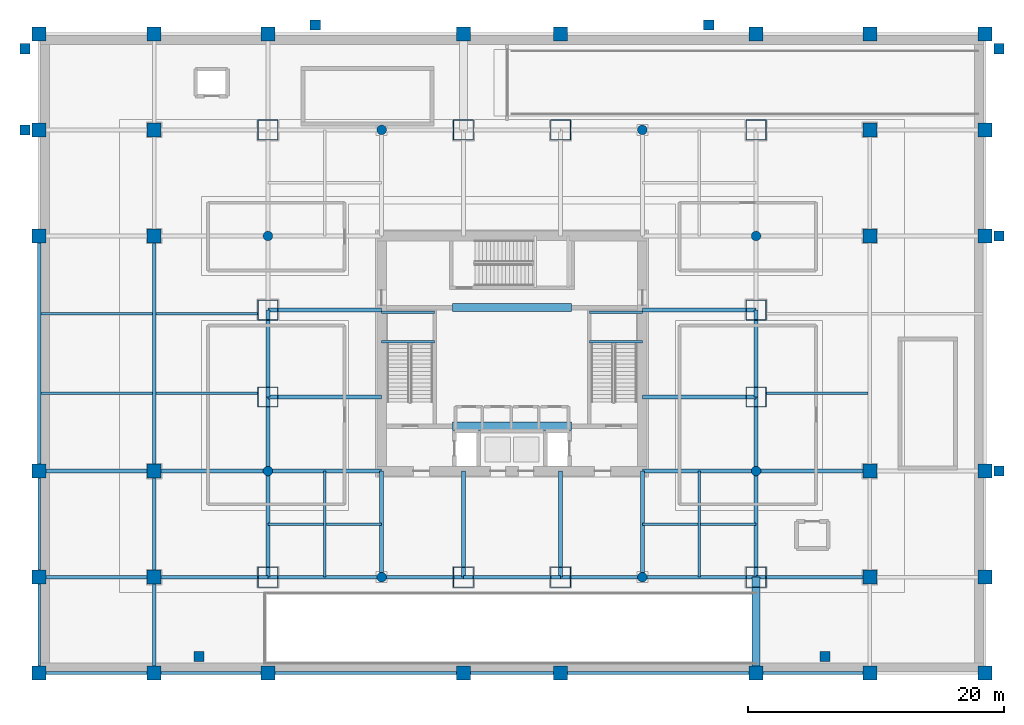
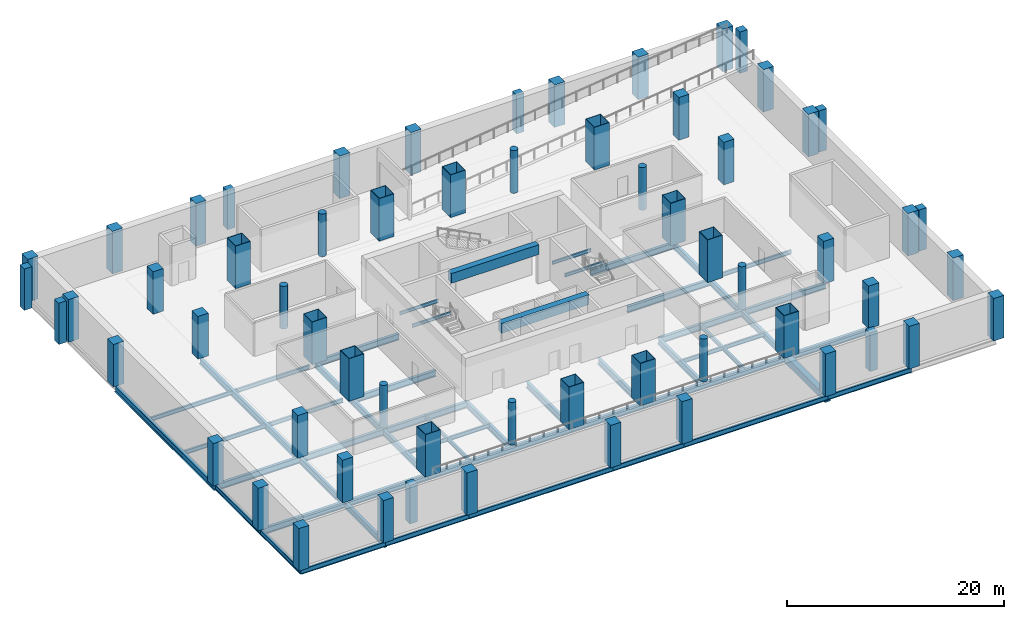
# One storey, part 1 of 12: 61 columns, 51 beams.
"""IFC4 building model written with IfcOpenShell, lengths in metres."""

from ifc_helpers import new_model, si_unit, direction, frame, origin, origin_2d, place, context, subcontext, project, spatial, rectangle, hollow_rectangle, circle, i_section, extrude, material, material_profile, profile_set, type_object, element, save


model = new_model("IFC4")

# Units and contexts
model_context = context("Model", 3, precision=1e-05, world=origin(), true_north=direction((0.0, 1.0)))
body_context = subcontext(model_context, "Body", "Model", "MODEL_VIEW")
ifc_project = project(units=[si_unit("LENGTHUNIT", "METRE"), si_unit("AREAUNIT", "SQUARE_METRE"), si_unit("VOLUMEUNIT", "CUBIC_METRE"), si_unit("PLANEANGLEUNIT", "RADIAN"), si_unit("MASSUNIT", "GRAM", prefix="KILO")], contexts=[model_context])

# Site, building, storey
site_placement = place(None, origin())
site = spatial("IfcSite", under=ifc_project, at=site_placement, CompositionType="ELEMENT")
building_placement = place(site_placement, origin())
building = spatial("IfcBuilding", under=site, at=building_placement, Name="Punatoya Terracotta Tower", CompositionType="ELEMENT")
storey_placement = place(building_placement, frame((0.0, 0.0, -4.800048828125)))
storey = spatial("IfcBuildingStorey", under=building, at=storey_placement, Name="B1", CompositionType="ELEMENT", Elevation=-4.800048828125)

# Columns
ifc_material_1 = material(Name="Steel S460", Category="steel")
ifc_material_profile_1 = material_profile(ifc_material_1, hollow_rectangle(XDim=1.60009765625, YDim=1.60009765625, WallThickness=0.050048828125, at=origin_2d()))
ifc_profile_set_1 = profile_set([ifc_material_profile_1], Name="Steel S460")
column_type_1 = type_object("IfcColumnType", Name="COL-MC-Z0", PredefinedType="COLUMN", material=ifc_profile_set_1)
for number, where, z_axis, x_axis, name in (
    (1, (-19.10009765625, -17.5, 0.0), (0.0, 0.0, 1.0), (1.0, 0.0, 0.0), "B1 Composite Mega-Column MC-01 (3-B)"),
    (2, (-3.800048828125, -17.5, 0.0), (0.0, 0.0, 1.0), (1.0, 0.0, 0.0), "B1 Composite Mega-Column MC-02 (5-B)"),
    (3, (3.800048828125, -17.5, 0.0), (0.0, 0.0, 1.0), (1.0, 0.0, 0.0), "B1 Composite Mega-Column MC-03 (7-B)"),
    (4, (19.10009765625, -17.5, 0.0), (0.0, 0.0, 1.0), (1.0, 0.0, 0.0), "B1 Composite Mega-Column MC-04 (9-B)"),
    (5, (19.10009765625, -3.39990234375, 0.0), (0.0, 0.0, 1.0), (1.0, 0.0, 0.0), "B1 Composite Mega-Column MC-05 (9-D)"),
    (6, (19.10009765625, 3.39990234375, 0.0), (0.0, 0.0, 1.0), (1.0, 0.0, 0.0), "B1 Composite Mega-Column MC-06 (9-E)"),
    (7, (19.10009765625, 17.5, 0.0), (0.0, 0.0, 1.0), (1.0, 0.0, 0.0), "B1 Composite Mega-Column MC-07 (9-G)"),
    (8, (3.800048828125, 17.5, 0.0), (0.0, 0.0, 1.0), (1.0, 0.0, 0.0), "B1 Composite Mega-Column MC-08 (7-G)"),
    (9, (-3.800048828125, 17.5, 0.0), (0.0, 0.0, 1.0), (1.0, 0.0, 0.0), "B1 Composite Mega-Column MC-09 (5-G)"),
    (10, (-19.10009765625, 17.5, 0.0), (0.0, 0.0, 1.0), (1.0, 0.0, 0.0), "B1 Composite Mega-Column MC-10 (3-G)"),
    (11, (-19.10009765625, 3.39990234375, 0.0), (0.0, 0.0, 1.0), (1.0, 0.0, 0.0), "B1 Composite Mega-Column MC-11 (3-E)"),
    (12, (-19.10009765625, -3.39990234375, 0.0), (0.0, 0.0, 1.0), (1.0, 0.0, 0.0), "B1 Composite Mega-Column MC-12 (3-D)"),
):
    element("IfcColumn", number, at=place(storey_placement, frame(where, z_axis=z_axis, x_axis=x_axis)), inside=storey, type_object=column_type_1, Name=name, PredefinedType="COLUMN", context=body_context, shape_type="SweptSolid", body=[
        extrude(hollow_rectangle(XDim=1.60009765625, YDim=1.60009765625, WallThickness=0.050048828125, at=origin_2d()), origin(), (0.0, 0.0, 1.0), 4.800048828125),
    ])
ifc_material_2 = material(Name="Concrete C50/60", Category="concrete")
ifc_material_profile_2 = material_profile(ifc_material_2, circle(Radius=0.375, at=origin_2d()))
ifc_profile_set_2 = profile_set([ifc_material_profile_2], Name="Concrete C50/60")
column_type_2 = type_object("IfcColumnType", Name="COL-PIL-750", PredefinedType="PILASTER", material=ifc_profile_set_2)
for number, where, z_axis, x_axis, name in (
    (13, (-10.199951171875, -17.5, 0.0), (0.0, 0.0, 1.0), (1.0, 0.0, 0.0), "B1 Spine Arcade Pilaster PIL-01"),
    (14, (10.199951171875, -17.5, 0.0), (0.0, 0.0, 1.0), (1.0, 0.0, 0.0), "B1 Spine Arcade Pilaster PIL-02"),
    (15, (-10.199951171875, 17.5, 0.0), (0.0, 0.0, 1.0), (1.0, 0.0, 0.0), "B1 Spine Arcade Pilaster PIL-03"),
    (16, (10.199951171875, 17.5, 0.0), (0.0, 0.0, 1.0), (1.0, 0.0, 0.0), "B1 Spine Arcade Pilaster PIL-04"),
    (17, (-19.10009765625, -9.199951171875, 0.0), (0.0, 0.0, 1.0), (1.0, 0.0, 0.0), "B1 Spine Arcade Pilaster PIL-05"),
    (18, (19.10009765625, -9.199951171875, 0.0), (0.0, 0.0, 1.0), (1.0, 0.0, 0.0), "B1 Spine Arcade Pilaster PIL-06"),
    (19, (-19.10009765625, 9.199951171875, 0.0), (0.0, 0.0, 1.0), (1.0, 0.0, 0.0), "B1 Spine Arcade Pilaster PIL-07"),
    (20, (19.10009765625, 9.199951171875, 0.0), (0.0, 0.0, 1.0), (1.0, 0.0, 0.0), "B1 Spine Arcade Pilaster PIL-08"),
):
    element("IfcColumn", number, at=place(storey_placement, frame(where, z_axis=z_axis, x_axis=x_axis)), inside=storey, type_object=column_type_2, Name=name, PredefinedType="PILASTER", context=body_context, shape_type="SweptSolid", body=[
        extrude(circle(Radius=0.375, at=origin_2d()), origin(), (0.0, 0.0, 1.0), 4.800048828125),
    ])
ifc_material_3 = material(Name="Concrete C60/75", Category="concrete")
ifc_material_profile_3 = material_profile(ifc_material_3, rectangle(XDim=1.10009765625, YDim=1.10009765625, at=origin_2d()))
ifc_profile_set_3 = profile_set([ifc_material_profile_3], Name="Concrete C60/75")
column_type_3 = type_object("IfcColumnType", Name="COL-RC-1100", PredefinedType="COLUMN", material=ifc_profile_set_3)
for number, where, z_axis, x_axis, name in (
    (21, (-37.0, -25.0, 0.0), (0.0, 0.0, 1.0), (1.0, 0.0, 0.0), "B1 Podium Column PC-01 (1-A)"),
    (22, (-28.0, -25.0, 0.0), (0.0, 0.0, 1.0), (1.0, 0.0, 0.0), "B1 Podium Column PC-02 (2-A)"),
    (23, (-19.10009765625, -25.0, 0.0), (0.0, 0.0, 1.0), (1.0, 0.0, 0.0), "B1 Podium Column PC-03 (3-A)"),
    (24, (-3.800048828125, -25.0, 0.0), (0.0, 0.0, 1.0), (1.0, 0.0, 0.0), "B1 Podium Column PC-04 (5-A)"),
    (25, (3.800048828125, -25.0, 0.0), (0.0, 0.0, 1.0), (1.0, 0.0, 0.0), "B1 Podium Column PC-05 (7-A)"),
    (26, (19.10009765625, -25.0, 0.0), (0.0, 0.0, 1.0), (1.0, 0.0, 0.0), "B1 Podium Column PC-06 (9-A)"),
    (27, (28.0, -25.0, 0.0), (0.0, 0.0, 1.0), (1.0, 0.0, 0.0), "B1 Podium Column PC-07 (10-A)"),
    (28, (37.0, -25.0, 0.0), (0.0, 0.0, 1.0), (1.0, 0.0, 0.0), "B1 Podium Column PC-08 (11-A)"),
    (29, (-37.0, -17.5, 0.0), (0.0, 0.0, 1.0), (1.0, 0.0, 0.0), "B1 Podium Column PC-09 (1-B)"),
    (30, (-28.0, -17.5, 0.0), (0.0, 0.0, 1.0), (1.0, 0.0, 0.0), "B1 Podium Column PC-10 (2-B)"),
    (31, (28.0, -17.5, 0.0), (0.0, 0.0, 1.0), (1.0, 0.0, 0.0), "B1 Podium Column PC-11 (10-B)"),
    (32, (37.0, -17.5, 0.0), (0.0, 0.0, 1.0), (1.0, 0.0, 0.0), "B1 Podium Column PC-12 (11-B)"),
    (33, (-37.0, -9.199951171875, 0.0), (0.0, 0.0, 1.0), (1.0, 0.0, 0.0), "B1 Podium Column PC-13 (1-C)"),
    (34, (37.0, -9.199951171875, 0.0), (0.0, 0.0, 1.0), (1.0, 0.0, 0.0), "B1 Podium Column PC-14 (11-C)"),
    (35, (-37.0, 9.199951171875, 0.0), (0.0, 0.0, 1.0), (1.0, 0.0, 0.0), "B1 Podium Column PC-15 (1-F)"),
    (36, (37.0, 9.199951171875, 0.0), (0.0, 0.0, 1.0), (1.0, 0.0, 0.0), "B1 Podium Column PC-16 (11-F)"),
    (37, (-37.0, 17.5, 0.0), (0.0, 0.0, 1.0), (1.0, 0.0, 0.0), "B1 Podium Column PC-17 (1-G)"),
    (38, (-28.0, 17.5, 0.0), (0.0, 0.0, 1.0), (1.0, 0.0, 0.0), "B1 Podium Column PC-18 (2-G)"),
    (39, (28.0, 17.5, 0.0), (0.0, 0.0, 1.0), (1.0, 0.0, 0.0), "B1 Podium Column PC-19 (10-G)"),
    (40, (37.0, 17.5, 0.0), (0.0, 0.0, 1.0), (1.0, 0.0, 0.0), "B1 Podium Column PC-20 (11-G)"),
    (41, (-37.0, 25.0, 0.0), (0.0, 0.0, 1.0), (1.0, 0.0, 0.0), "B1 Podium Column PC-21 (1-H)"),
    (42, (-28.0, 25.0, 0.0), (0.0, 0.0, 1.0), (1.0, 0.0, 0.0), "B1 Podium Column PC-22 (2-H)"),
    (43, (-19.10009765625, 25.0, 0.0), (0.0, 0.0, 1.0), (1.0, 0.0, 0.0), "B1 Podium Column PC-23 (3-H)"),
    (44, (-3.800048828125, 25.0, 0.0), (0.0, 0.0, 1.0), (1.0, 0.0, 0.0), "B1 Podium Column PC-24 (5-H)"),
    (45, (3.800048828125, 25.0, 0.0), (0.0, 0.0, 1.0), (1.0, 0.0, 0.0), "B1 Podium Column PC-25 (7-H)"),
    (46, (19.10009765625, 25.0, 0.0), (0.0, 0.0, 1.0), (1.0, 0.0, 0.0), "B1 Podium Column PC-26 (9-H)"),
    (47, (28.0, 25.0, 0.0), (0.0, 0.0, 1.0), (1.0, 0.0, 0.0), "B1 Podium Column PC-27 (10-H)"),
    (48, (37.0, 25.0, 0.0), (0.0, 0.0, 1.0), (1.0, 0.0, 0.0), "B1 Podium Column PC-28 (11-H)"),
    (49, (-28.0, -9.199951171875, 0.0), (0.0, 0.0, 1.0), (1.0, 0.0, 0.0), "B1 Podium Column PC-29 (2-C)"),
    (50, (-28.0, 9.199951171875, 0.0), (0.0, 0.0, 1.0), (1.0, 0.0, 0.0), "B1 Podium Column PC-30 (2-F)"),
    (51, (28.0, -9.199951171875, 0.0), (0.0, 0.0, 1.0), (1.0, 0.0, 0.0), "B1 Podium Column PC-31 (10-C)"),
    (52, (28.0, 9.199951171875, 0.0), (0.0, 0.0, 1.0), (1.0, 0.0, 0.0), "B1 Podium Column PC-32 (10-F)"),
):
    element("IfcColumn", number, at=place(storey_placement, frame(where, z_axis=z_axis, x_axis=x_axis)), inside=storey, type_object=column_type_3, Name=name, PredefinedType="COLUMN", context=body_context, shape_type="SweptSolid", body=[
        extrude(rectangle(XDim=1.10009765625, YDim=1.10009765625, at=origin_2d()), origin(), (0.0, 0.0, 1.0), 4.800048828125),
    ])
ifc_material_profile_4 = material_profile(ifc_material_2, rectangle(XDim=0.800048828125, YDim=0.800048828125, at=origin_2d()))
ifc_profile_set_4 = profile_set([ifc_material_profile_4], Name="Concrete C50/60")
column_type_4 = type_object("IfcColumnType", Name="COL-RC-800", PredefinedType="COLUMN", material=ifc_profile_set_4)
for number, where, z_axis, x_axis, name in (
    (53, (-24.5, -23.699951171875, 0.0), (0.0, 0.0, 1.0), (1.0, 0.0, 0.0), "B1 Substructure Support Pier PR1"),
    (54, (24.5, -23.699951171875, 0.0), (0.0, 0.0, 1.0), (1.0, 0.0, 0.0), "B1 Substructure Support Pier PR2"),
    (55, (-15.39990234375, 25.699951171875, 0.0), (0.0, 0.0, 1.0), (1.0, 0.0, 0.0), "B1 Substructure Support Pier PR3"),
    (56, (15.39990234375, 25.699951171875, 0.0), (0.0, 0.0, 1.0), (1.0, 0.0, 0.0), "B1 Substructure Support Pier PR4"),
):
    element("IfcColumn", number, at=place(storey_placement, frame(where, z_axis=z_axis, x_axis=x_axis)), inside=storey, type_object=column_type_4, Name=name, PredefinedType="COLUMN", context=body_context, shape_type="SweptSolid", body=[
        extrude(rectangle(XDim=0.800048828125, YDim=0.800048828125, at=origin_2d()), origin(), (0.0, 0.0, 1.0), 4.35009765625),
    ])
for number, where, z_axis, x_axis, name in (
    (57, (38.10009765625, -9.199951171875, 0.0), (0.0, 0.0, 1.0), (1.0, 0.0, 0.0), "B1 Substructure Support Pier APRE1"),
    (58, (38.10009765625, 9.199951171875, 0.0), (0.0, 0.0, 1.0), (1.0, 0.0, 0.0), "B1 Substructure Support Pier APRE2"),
    (59, (38.10009765625, 23.85009765625, 0.0), (0.0, 0.0, 1.0), (1.0, 0.0, 0.0), "B1 Substructure Support Pier APRE3"),
    (60, (-38.10009765625, 17.5, 0.0), (0.0, 0.0, 1.0), (1.0, 0.0, 0.0), "B1 Substructure Support Pier APRW1"),
    (61, (-38.10009765625, 23.85009765625, 0.0), (0.0, 0.0, 1.0), (1.0, 0.0, 0.0), "B1 Substructure Support Pier APRW2"),
):
    element("IfcColumn", number, at=place(storey_placement, frame(where, z_axis=z_axis, x_axis=x_axis)), inside=storey, type_object=column_type_4, Name=name, PredefinedType="COLUMN", context=body_context, shape_type="SweptSolid", body=[
        extrude(rectangle(XDim=0.800048828125, YDim=0.800048828125, at=origin_2d()), origin(), (0.0, 0.0, 1.0), 4.650146484375),
    ])

# Beams
ifc_material_4 = material(Name="Steel S355", Category="steel")
ifc_material_profile_5 = material_profile(ifc_material_4, i_section(OverallWidth=0.300048828125, OverallDepth=0.699951171875, WebThickness=0.01708984375, FlangeThickness=0.031982421875, FilletRadius=0.01806640625, at=origin_2d()))
ifc_profile_set_5 = profile_set([ifc_material_profile_5], Name="Steel S355")
beam_type_1 = type_object("IfcBeamType", Name="BM-PRI-700", PredefinedType="BEAM", material=ifc_profile_set_5)
beam_1_placement = place(storey_placement, frame((-19.10009765625, -17.5, -0.6298828125), z_axis=(1.0, 0.0, 0.0), x_axis=(0.0, 1.0, 0.0)))
element("IfcBeam", 62, at=beam_1_placement, inside=storey, type_object=beam_type_1, Name="BM-B1-RG-S1", PredefinedType="BEAM", context=body_context, shape_type="SweptSolid", body=[
    extrude(i_section(OverallWidth=0.300048828125, OverallDepth=0.699951171875, WebThickness=0.01708984375, FlangeThickness=0.031982421875, FilletRadius=0.01806640625, at=origin_2d()), origin(), (0.0, 0.0, 1.0), 15.300048828125),
])
beam_2_placement = place(storey_placement, frame((-3.800048828125, -17.5, -0.6298828125), z_axis=(1.0, 0.0, 0.0), x_axis=(0.0, 1.0, 0.0)))
element("IfcBeam", 63, at=beam_2_placement, inside=storey, type_object=beam_type_1, Name="BM-B1-RG-S2", PredefinedType="BEAM", context=body_context, shape_type="SweptSolid", body=[
    extrude(i_section(OverallWidth=0.300048828125, OverallDepth=0.699951171875, WebThickness=0.01708984375, FlangeThickness=0.031982421875, FilletRadius=0.01806640625, at=origin_2d()), origin(), (0.0, 0.0, 1.0), 7.60009765625),
])
beam_3_placement = place(storey_placement, frame((3.800048828125, -17.5, -0.6298828125), z_axis=(1.0, 0.0, 0.0), x_axis=(0.0, 1.0, 0.0)))
element("IfcBeam", 64, at=beam_3_placement, inside=storey, type_object=beam_type_1, Name="BM-B1-RG-S3", PredefinedType="BEAM", context=body_context, shape_type="SweptSolid", body=[
    extrude(i_section(OverallWidth=0.300048828125, OverallDepth=0.699951171875, WebThickness=0.01708984375, FlangeThickness=0.031982421875, FilletRadius=0.01806640625, at=origin_2d()), origin(), (0.0, 0.0, 1.0), 15.300048828125),
])
beam_4_placement = place(storey_placement, frame((-19.10009765625, -17.5, -0.6298828125), z_axis=(0.0, 1.0, 0.0), x_axis=(-1.0, 0.0, 0.0)))
element("IfcBeam", 65, at=beam_4_placement, inside=storey, type_object=beam_type_1, Name="BM-B1-RG-W1", PredefinedType="BEAM", context=body_context, shape_type="SweptSolid", body=[
    extrude(i_section(OverallWidth=0.300048828125, OverallDepth=0.699951171875, WebThickness=0.01708984375, FlangeThickness=0.031982421875, FilletRadius=0.01806640625, at=origin_2d()), origin(), (0.0, 0.0, 1.0), 14.10009765625),
])
beam_5_placement = place(storey_placement, frame((-19.10009765625, -3.39990234375, -0.6298828125), z_axis=(0.0, 1.0, 0.0), x_axis=(-1.0, 0.0, 0.0)))
element("IfcBeam", 66, at=beam_5_placement, inside=storey, type_object=beam_type_1, Name="BM-B1-RG-W2", PredefinedType="BEAM", context=body_context, shape_type="SweptSolid", body=[
    extrude(i_section(OverallWidth=0.300048828125, OverallDepth=0.699951171875, WebThickness=0.01708984375, FlangeThickness=0.031982421875, FilletRadius=0.01806640625, at=origin_2d()), origin(), (0.0, 0.0, 1.0), 6.7998046875),
])
beam_6_placement = place(storey_placement, frame((19.10009765625, -17.5, -0.6298828125), z_axis=(0.0, 1.0, 0.0), x_axis=(-1.0, 0.0, 0.0)))
element("IfcBeam", 67, at=beam_6_placement, inside=storey, type_object=beam_type_1, Name="BM-B1-RG-E1", PredefinedType="BEAM", context=body_context, shape_type="SweptSolid", body=[
    extrude(i_section(OverallWidth=0.300048828125, OverallDepth=0.699951171875, WebThickness=0.01708984375, FlangeThickness=0.031982421875, FilletRadius=0.01806640625, at=origin_2d()), origin(), (0.0, 0.0, 1.0), 14.10009765625),
])
beam_7_placement = place(storey_placement, frame((19.10009765625, -3.39990234375, -0.6298828125), z_axis=(0.0, 1.0, 0.0), x_axis=(-1.0, 0.0, 0.0)))
element("IfcBeam", 68, at=beam_7_placement, inside=storey, type_object=beam_type_1, Name="BM-B1-RG-E2", PredefinedType="BEAM", context=body_context, shape_type="SweptSolid", body=[
    extrude(i_section(OverallWidth=0.300048828125, OverallDepth=0.699951171875, WebThickness=0.01708984375, FlangeThickness=0.031982421875, FilletRadius=0.01806640625, at=origin_2d()), origin(), (0.0, 0.0, 1.0), 6.7998046875),
])
for number, where, z_axis, x_axis, name in (
    (69, (-19.10009765625, -9.199951171875, -0.6298828125), (1.0, 0.0, 0.0), (0.0, 1.0, 0.0), "BM-B1-PR-WS"),
    (70, (-19.10009765625, -3.39990234375, -0.6298828125), (1.0, 0.0, 0.0), (0.0, 1.0, 0.0), "BM-B1-PR-WD"),
    (71, (-19.10009765625, 3.39990234375, -0.6298828125), (1.0, 0.0, 0.0), (0.0, 1.0, 0.0), "BM-B1-PR-WE"),
    (72, (10.199951171875, -9.199951171875, -0.6298828125), (1.0, 0.0, 0.0), (0.0, 1.0, 0.0), "BM-B1-PR-ES"),
    (73, (10.199951171875, -3.39990234375, -0.6298828125), (1.0, 0.0, 0.0), (0.0, 1.0, 0.0), "BM-B1-PR-ED"),
    (74, (10.199951171875, 3.39990234375, -0.6298828125), (1.0, 0.0, 0.0), (0.0, 1.0, 0.0), "BM-B1-PR-EE"),
):
    element("IfcBeam", number, at=place(storey_placement, frame(where, z_axis=z_axis, x_axis=x_axis)), inside=storey, type_object=beam_type_1, Name=name, PredefinedType="BEAM", context=body_context, shape_type="SweptSolid", body=[
        extrude(i_section(OverallWidth=0.300048828125, OverallDepth=0.699951171875, WebThickness=0.01708984375, FlangeThickness=0.031982421875, FilletRadius=0.01806640625, at=origin_2d()), origin(), (0.0, 0.0, 1.0), 8.900146484375),
    ])
for number, where, z_axis, x_axis, name in (
    (75, (-10.199951171875, -17.5, -0.6298828125), (0.0, 1.0, 0.0), (-1.0, 0.0, 0.0), "BM-B1-PR-S1"),
    (76, (-3.800048828125, -17.5, -0.6298828125), (0.0, 1.0, 0.0), (-1.0, 0.0, 0.0), "BM-B1-PR-S2"),
    (77, (3.800048828125, -17.5, -0.6298828125), (0.0, 1.0, 0.0), (-1.0, 0.0, 0.0), "BM-B1-PR-S3"),
    (78, (10.199951171875, -17.5, -0.6298828125), (0.0, 1.0, 0.0), (-1.0, 0.0, 0.0), "BM-B1-PR-S4"),
):
    element("IfcBeam", number, at=place(storey_placement, frame(where, z_axis=z_axis, x_axis=x_axis)), inside=storey, type_object=beam_type_1, Name=name, PredefinedType="BEAM", context=body_context, shape_type="SweptSolid", body=[
        extrude(i_section(OverallWidth=0.300048828125, OverallDepth=0.699951171875, WebThickness=0.01708984375, FlangeThickness=0.031982421875, FilletRadius=0.01806640625, at=origin_2d()), origin(), (0.0, 0.0, 1.0), 8.300048828125),
    ])
beam_8_placement = place(storey_placement, frame((-37.0, -17.5, -0.6298828125), z_axis=(1.0, 0.0, 0.0), x_axis=(0.0, 1.0, 0.0)))
element("IfcBeam", 79, at=beam_8_placement, inside=storey, type_object=beam_type_1, Name="BM-B1-BW1", PredefinedType="BEAM", context=body_context, shape_type="SweptSolid", body=[
    extrude(i_section(OverallWidth=0.300048828125, OverallDepth=0.699951171875, WebThickness=0.01708984375, FlangeThickness=0.031982421875, FilletRadius=0.01806640625, at=origin_2d()), origin(), (0.0, 0.0, 1.0), 9.0),
])
beam_9_placement = place(storey_placement, frame((-28.0, -17.5, -0.6298828125), z_axis=(1.0, 0.0, 0.0), x_axis=(0.0, 1.0, 0.0)))
element("IfcBeam", 80, at=beam_9_placement, inside=storey, type_object=beam_type_1, Name="BM-B1-BW2", PredefinedType="BEAM", context=body_context, shape_type="SweptSolid", body=[
    extrude(i_section(OverallWidth=0.300048828125, OverallDepth=0.699951171875, WebThickness=0.01708984375, FlangeThickness=0.031982421875, FilletRadius=0.01806640625, at=origin_2d()), origin(), (0.0, 0.0, 1.0), 8.89990234375),
])
beam_10_placement = place(storey_placement, frame((-37.0, -9.199951171875, -0.6298828125), z_axis=(1.0, 0.0, 0.0), x_axis=(0.0, 1.0, 0.0)))
element("IfcBeam", 81, at=beam_10_placement, inside=storey, type_object=beam_type_1, Name="BM-B1-CW1", PredefinedType="BEAM", context=body_context, shape_type="SweptSolid", body=[
    extrude(i_section(OverallWidth=0.300048828125, OverallDepth=0.699951171875, WebThickness=0.01708984375, FlangeThickness=0.031982421875, FilletRadius=0.01806640625, at=origin_2d()), origin(), (0.0, 0.0, 1.0), 9.0),
])
beam_11_placement = place(storey_placement, frame((-28.0, -9.199951171875, -0.6298828125), z_axis=(1.0, 0.0, 0.0), x_axis=(0.0, 1.0, 0.0)))
element("IfcBeam", 82, at=beam_11_placement, inside=storey, type_object=beam_type_1, Name="BM-B1-CW2", PredefinedType="BEAM", context=body_context, shape_type="SweptSolid", body=[
    extrude(i_section(OverallWidth=0.300048828125, OverallDepth=0.699951171875, WebThickness=0.01708984375, FlangeThickness=0.031982421875, FilletRadius=0.01806640625, at=origin_2d()), origin(), (0.0, 0.0, 1.0), 8.89990234375),
])
beam_12_placement = place(storey_placement, frame((-37.0, -9.199951171875, -0.6298828125), z_axis=(0.0, 1.0, 0.0), x_axis=(-1.0, 0.0, 0.0)))
element("IfcBeam", 83, at=beam_12_placement, inside=storey, type_object=beam_type_1, Name="BM-B1-X37W--9", PredefinedType="BEAM", context=body_context, shape_type="SweptSolid", body=[
    extrude(i_section(OverallWidth=0.300048828125, OverallDepth=0.699951171875, WebThickness=0.01708984375, FlangeThickness=0.031982421875, FilletRadius=0.01806640625, at=origin_2d()), origin(), (0.0, 0.0, 1.0), 18.39990234375),
])
beam_13_placement = place(storey_placement, frame((-28.0, -25.0, -0.6298828125), z_axis=(0.0, 1.0, 0.0), x_axis=(-1.0, 0.0, 0.0)))
element("IfcBeam", 84, at=beam_13_placement, inside=storey, type_object=beam_type_1, Name="BM-B1-X28W--25", PredefinedType="BEAM", context=body_context, shape_type="SweptSolid", body=[
    extrude(i_section(OverallWidth=0.300048828125, OverallDepth=0.699951171875, WebThickness=0.01708984375, FlangeThickness=0.031982421875, FilletRadius=0.01806640625, at=origin_2d()), origin(), (0.0, 0.0, 1.0), 7.5),
])
beam_14_placement = place(storey_placement, frame((-28.0, -17.5, -0.6298828125), z_axis=(0.0, 1.0, 0.0), x_axis=(-1.0, 0.0, 0.0)))
element("IfcBeam", 85, at=beam_14_placement, inside=storey, type_object=beam_type_1, Name="BM-B1-X28W--17", PredefinedType="BEAM", context=body_context, shape_type="SweptSolid", body=[
    extrude(i_section(OverallWidth=0.300048828125, OverallDepth=0.699951171875, WebThickness=0.01708984375, FlangeThickness=0.031982421875, FilletRadius=0.01806640625, at=origin_2d()), origin(), (0.0, 0.0, 1.0), 8.300048828125),
])
beam_15_placement = place(storey_placement, frame((-28.0, -9.199951171875, -0.6298828125), z_axis=(0.0, 1.0, 0.0), x_axis=(-1.0, 0.0, 0.0)))
element("IfcBeam", 86, at=beam_15_placement, inside=storey, type_object=beam_type_1, Name="BM-B1-X28W--9", PredefinedType="BEAM", context=body_context, shape_type="SweptSolid", body=[
    extrude(i_section(OverallWidth=0.300048828125, OverallDepth=0.699951171875, WebThickness=0.01708984375, FlangeThickness=0.031982421875, FilletRadius=0.01806640625, at=origin_2d()), origin(), (0.0, 0.0, 1.0), 18.39990234375),
])
for number, where, z_axis, x_axis, name in (
    (87, (19.10009765625, -17.5, -0.6298828125), (1.0, 0.0, 0.0), (0.0, 1.0, 0.0), "BM-B1-BE1"),
    (88, (19.10009765625, -9.199951171875, -0.6298828125), (1.0, 0.0, 0.0), (0.0, 1.0, 0.0), "BM-B1-CE1"),
):
    element("IfcBeam", number, at=place(storey_placement, frame(where, z_axis=z_axis, x_axis=x_axis)), inside=storey, type_object=beam_type_1, Name=name, PredefinedType="BEAM", context=body_context, shape_type="SweptSolid", body=[
        extrude(i_section(OverallWidth=0.300048828125, OverallDepth=0.699951171875, WebThickness=0.01708984375, FlangeThickness=0.031982421875, FilletRadius=0.01806640625, at=origin_2d()), origin(), (0.0, 0.0, 1.0), 8.89990234375),
    ])
ifc_material_profile_6 = material_profile(ifc_material_3, rectangle(XDim=0.64990234375, YDim=1.10009765625, at=origin_2d()))
ifc_profile_set_6 = profile_set([ifc_material_profile_6], Name="Concrete C60/75")
beam_type_2 = type_object("IfcBeamType", Name="BM-RC-1100", PredefinedType="LINTEL", material=ifc_profile_set_6)
for number, where, z_axis, x_axis, name in (
    (89, (-4.64990234375, -5.679931640625, 3.969970703125), (1.0, 0.0, 0.0), (0.0, 1.0, 0.0), "B1 Core Coupling Lintel CSW"),
    (90, (-4.64990234375, 3.60009765625, 3.969970703125), (1.0, 0.0, 0.0), (0.0, 1.0, 0.0), "B1 Core Coupling Lintel CNW"),
):
    element("IfcBeam", number, at=place(storey_placement, frame(where, z_axis=z_axis, x_axis=x_axis)), inside=storey, type_object=beam_type_2, Name=name, PredefinedType="LINTEL", context=body_context, shape_type="SweptSolid", body=[
        extrude(rectangle(XDim=0.64990234375, YDim=1.10009765625, at=origin_2d()), origin(), (0.0, 0.0, 1.0), 9.2998046875),
    ])
ifc_material_5 = material(Name="Concrete C45/55", Category="concrete")
ifc_material_profile_7 = material_profile(ifc_material_5, rectangle(XDim=0.60009765625, YDim=0.800048828125, at=origin_2d()))
ifc_profile_set_7 = profile_set([ifc_material_profile_7], Name="Concrete C45/55")
beam_type_3 = type_object("IfcBeamType", Name="BM-RC-GRD", PredefinedType="BEAM", material=ifc_profile_set_7)
beam_16_placement = place(storey_placement, frame((19.10009765625, -25.0, -0.679931640625), z_axis=(0.0, 1.0, 0.0), x_axis=(-1.0, 0.0, 0.0)))
element("IfcBeam", 91, at=beam_16_placement, inside=storey, type_object=beam_type_3, Name="BM-B1-VR1-HDR", PredefinedType="BEAM", context=body_context, shape_type="SweptSolid", body=[
    extrude(rectangle(XDim=0.60009765625, YDim=0.800048828125, at=origin_2d()), origin(), (0.0, 0.0, 1.0), 7.5),
])
ifc_material_profile_8 = material_profile(ifc_material_4, i_section(OverallWidth=0.169921875, OverallDepth=0.360107421875, WebThickness=0.008056640625, FlangeThickness=0.0126953125, FilletRadius=0.01806640625, at=origin_2d()))
ifc_profile_set_8 = profile_set([ifc_material_profile_8], Name="Steel S355")
beam_type_4 = type_object("IfcBeamType", Name="BM-SEC-360", PredefinedType="JOIST", material=ifc_profile_set_8)
for number, where, z_axis, x_axis, name in (
    (92, (-10.199951171875, 0.919921875, 2.02001953125), (1.0, 0.0, 0.0), (0.0, 1.0, 0.0), "BM-B1-ST-1-LD1A"),
    (93, (-10.199951171875, 3.22998046875, 2.02001953125), (1.0, 0.0, 0.0), (0.0, 1.0, 0.0), "BM-B1-ST-1-LD1B"),
    (94, (6.050048828125, 0.919921875, 2.02001953125), (1.0, 0.0, 0.0), (0.0, 1.0, 0.0), "BM-B1-ST-2-LD1A"),
    (95, (6.050048828125, 3.22998046875, 2.02001953125), (1.0, 0.0, 0.0), (0.0, 1.0, 0.0), "BM-B1-ST-2-LD1B"),
):
    element("IfcBeam", number, at=place(storey_placement, frame(where, z_axis=z_axis, x_axis=x_axis)), inside=storey, type_object=beam_type_4, Name=name, PredefinedType="JOIST", context=body_context, shape_type="SweptSolid", body=[
        extrude(i_section(OverallWidth=0.169921875, OverallDepth=0.360107421875, WebThickness=0.008056640625, FlangeThickness=0.0126953125, FilletRadius=0.01806640625, at=origin_2d()), origin(), (0.0, 0.0, 1.0), 4.14990234375),
    ])
ifc_material_profile_9 = material_profile(ifc_material_4, i_section(OverallWidth=0.18994140625, OverallDepth=0.449951171875, WebThickness=0.009521484375, FlangeThickness=0.0146484375, FilletRadius=0.01806640625, at=origin_2d()))
ifc_profile_set_9 = profile_set([ifc_material_profile_9], Name="Steel S355")
beam_type_5 = type_object("IfcBeamType", Name="BM-SEC-450", PredefinedType="JOIST", material=ifc_profile_set_9)
for number, where, z_axis, x_axis, name in (
    (96, (-19.10009765625, -13.35009765625, -0.5048828125), (1.0, 0.0, 0.0), (0.0, 1.0, 0.0), "BM-B1-SJS-1"),
    (97, (10.199951171875, -13.35009765625, -0.5048828125), (1.0, 0.0, 0.0), (0.0, 1.0, 0.0), "BM-B1-SJS-2"),
):
    element("IfcBeam", number, at=place(storey_placement, frame(where, z_axis=z_axis, x_axis=x_axis)), inside=storey, type_object=beam_type_5, Name=name, PredefinedType="JOIST", context=body_context, shape_type="SweptSolid", body=[
        extrude(i_section(OverallWidth=0.18994140625, OverallDepth=0.449951171875, WebThickness=0.009521484375, FlangeThickness=0.0146484375, FilletRadius=0.01806640625, at=origin_2d()), origin(), (0.0, 0.0, 1.0), 8.900146484375),
    ])
for number, where, z_axis, x_axis, name in (
    (98, (-14.64990234375, -17.5, -0.5048828125), (0.0, 1.0, 0.0), (-1.0, 0.0, 0.0), "BM-B1-SJW-1"),
    (99, (14.64990234375, -17.5, -0.5048828125), (0.0, 1.0, 0.0), (-1.0, 0.0, 0.0), "BM-B1-SJE-1"),
):
    element("IfcBeam", number, at=place(storey_placement, frame(where, z_axis=z_axis, x_axis=x_axis)), inside=storey, type_object=beam_type_5, Name=name, PredefinedType="JOIST", context=body_context, shape_type="SweptSolid", body=[
        extrude(i_section(OverallWidth=0.18994140625, OverallDepth=0.449951171875, WebThickness=0.009521484375, FlangeThickness=0.0146484375, FilletRadius=0.01806640625, at=origin_2d()), origin(), (0.0, 0.0, 1.0), 8.300048828125),
    ])
beam_17_placement = place(storey_placement, frame((-36.85009765625, -3.10009765625, -0.5048828125), z_axis=(1.0, 0.0, 0.0), x_axis=(0.0, 1.0, 0.0)))
element("IfcBeam", 100, at=beam_17_placement, inside=storey, type_object=beam_type_5, Name="BM-B1-WNGJ-W1--31", PredefinedType="JOIST", context=body_context, shape_type="SweptSolid", body=[
    extrude(i_section(OverallWidth=0.18994140625, OverallDepth=0.449951171875, WebThickness=0.009521484375, FlangeThickness=0.0146484375, FilletRadius=0.01806640625, at=origin_2d()), origin(), (0.0, 0.0, 1.0), 8.7001953125),
])
for number, where, z_axis, x_axis, name in (
    (101, (-27.85009765625, -3.10009765625, -0.5048828125), (1.0, 0.0, 0.0), (0.0, 1.0, 0.0), "BM-B1-WNGJ-W2--31"),
    (102, (19.89990234375, -3.10009765625, -0.5048828125), (1.0, 0.0, 0.0), (0.0, 1.0, 0.0), "BM-B1-WNGJ-E1--31"),
):
    element("IfcBeam", number, at=place(storey_placement, frame(where, z_axis=z_axis, x_axis=x_axis)), inside=storey, type_object=beam_type_5, Name=name, PredefinedType="JOIST", context=body_context, shape_type="SweptSolid", body=[
        extrude(i_section(OverallWidth=0.18994140625, OverallDepth=0.449951171875, WebThickness=0.009521484375, FlangeThickness=0.0146484375, FilletRadius=0.01806640625, at=origin_2d()), origin(), (0.0, 0.0, 1.0), 7.9501953125),
    ])
beam_18_placement = place(storey_placement, frame((-36.85009765625, 3.10009765625, -0.5048828125), z_axis=(1.0, 0.0, 0.0), x_axis=(0.0, 1.0, 0.0)))
element("IfcBeam", 103, at=beam_18_placement, inside=storey, type_object=beam_type_5, Name="BM-B1-WNGJ-W1-31", PredefinedType="JOIST", context=body_context, shape_type="SweptSolid", body=[
    extrude(i_section(OverallWidth=0.18994140625, OverallDepth=0.449951171875, WebThickness=0.009521484375, FlangeThickness=0.0146484375, FilletRadius=0.01806640625, at=origin_2d()), origin(), (0.0, 0.0, 1.0), 8.7001953125),
])
beam_19_placement = place(storey_placement, frame((-27.85009765625, 3.10009765625, -0.5048828125), z_axis=(1.0, 0.0, 0.0), x_axis=(0.0, 1.0, 0.0)))
element("IfcBeam", 104, at=beam_19_placement, inside=storey, type_object=beam_type_5, Name="BM-B1-WNGJ-W2-31", PredefinedType="JOIST", context=body_context, shape_type="SweptSolid", body=[
    extrude(i_section(OverallWidth=0.18994140625, OverallDepth=0.449951171875, WebThickness=0.009521484375, FlangeThickness=0.0146484375, FilletRadius=0.01806640625, at=origin_2d()), origin(), (0.0, 0.0, 1.0), 7.9501953125),
])
ifc_material_profile_10 = material_profile(ifc_material_4, i_section(OverallWidth=0.2099609375, OverallDepth=0.550048828125, WebThickness=0.010986328125, FlangeThickness=0.01708984375, FilletRadius=0.01806640625, at=origin_2d()))
ifc_profile_set_10 = profile_set([ifc_material_profile_10], Name="Steel S355")
beam_type_6 = type_object("IfcBeamType", Name="BM-SPN-550", PredefinedType="SPANDREL", material=ifc_profile_set_10)
beam_20_placement = place(storey_placement, frame((-37.0, -25.0, -0.554931640625), z_axis=(1.0, 0.0, 0.0), x_axis=(0.0, 1.0, 0.0)))
element("IfcBeam", 105, at=beam_20_placement, inside=storey, type_object=beam_type_6, Name="BM-B1-AW1", PredefinedType="SPANDREL", context=body_context, shape_type="SweptSolid", body=[
    extrude(i_section(OverallWidth=0.2099609375, OverallDepth=0.550048828125, WebThickness=0.010986328125, FlangeThickness=0.01708984375, FilletRadius=0.01806640625, at=origin_2d()), origin(), (0.0, 0.0, 1.0), 9.0),
])
beam_21_placement = place(storey_placement, frame((-28.0, -25.0, -0.554931640625), z_axis=(1.0, 0.0, 0.0), x_axis=(0.0, 1.0, 0.0)))
element("IfcBeam", 106, at=beam_21_placement, inside=storey, type_object=beam_type_6, Name="BM-B1-AW2", PredefinedType="SPANDREL", context=body_context, shape_type="SweptSolid", body=[
    extrude(i_section(OverallWidth=0.2099609375, OverallDepth=0.550048828125, WebThickness=0.010986328125, FlangeThickness=0.01708984375, FilletRadius=0.01806640625, at=origin_2d()), origin(), (0.0, 0.0, 1.0), 8.89990234375),
])
beam_22_placement = place(storey_placement, frame((-37.0, -25.0, -0.554931640625), z_axis=(0.0, 1.0, 0.0), x_axis=(-1.0, 0.0, 0.0)))
element("IfcBeam", 107, at=beam_22_placement, inside=storey, type_object=beam_type_6, Name="BM-B1-X37W--25", PredefinedType="SPANDREL", context=body_context, shape_type="SweptSolid", body=[
    extrude(i_section(OverallWidth=0.2099609375, OverallDepth=0.550048828125, WebThickness=0.010986328125, FlangeThickness=0.01708984375, FilletRadius=0.01806640625, at=origin_2d()), origin(), (0.0, 0.0, 1.0), 7.5),
])
beam_23_placement = place(storey_placement, frame((-37.0, -17.5, -0.554931640625), z_axis=(0.0, 1.0, 0.0), x_axis=(-1.0, 0.0, 0.0)))
element("IfcBeam", 108, at=beam_23_placement, inside=storey, type_object=beam_type_6, Name="BM-B1-X37W--17", PredefinedType="SPANDREL", context=body_context, shape_type="SweptSolid", body=[
    extrude(i_section(OverallWidth=0.2099609375, OverallDepth=0.550048828125, WebThickness=0.010986328125, FlangeThickness=0.01708984375, FilletRadius=0.01806640625, at=origin_2d()), origin(), (0.0, 0.0, 1.0), 8.300048828125),
])
beam_24_placement = place(storey_placement, frame((19.10009765625, -25.0, -0.554931640625), z_axis=(1.0, 0.0, 0.0), x_axis=(0.0, 1.0, 0.0)))
element("IfcBeam", 109, at=beam_24_placement, inside=storey, type_object=beam_type_6, Name="BM-B1-AE1", PredefinedType="SPANDREL", context=body_context, shape_type="SweptSolid", body=[
    extrude(i_section(OverallWidth=0.2099609375, OverallDepth=0.550048828125, WebThickness=0.010986328125, FlangeThickness=0.01708984375, FilletRadius=0.01806640625, at=origin_2d()), origin(), (0.0, 0.0, 1.0), 8.89990234375),
])
beam_25_placement = place(storey_placement, frame((-19.10009765625, -25.0, -0.554931640625), z_axis=(1.0, 0.0, 0.0), x_axis=(0.0, 1.0, 0.0)))
element("IfcBeam", 110, at=beam_25_placement, inside=storey, type_object=beam_type_6, Name="BM-B1-MIDA-1", PredefinedType="SPANDREL", context=body_context, shape_type="SweptSolid", body=[
    extrude(i_section(OverallWidth=0.2099609375, OverallDepth=0.550048828125, WebThickness=0.010986328125, FlangeThickness=0.01708984375, FilletRadius=0.01806640625, at=origin_2d()), origin(), (0.0, 0.0, 1.0), 15.300048828125),
])
beam_26_placement = place(storey_placement, frame((-3.800048828125, -25.0, -0.554931640625), z_axis=(1.0, 0.0, 0.0), x_axis=(0.0, 1.0, 0.0)))
element("IfcBeam", 111, at=beam_26_placement, inside=storey, type_object=beam_type_6, Name="BM-B1-MIDA-2", PredefinedType="SPANDREL", context=body_context, shape_type="SweptSolid", body=[
    extrude(i_section(OverallWidth=0.2099609375, OverallDepth=0.550048828125, WebThickness=0.010986328125, FlangeThickness=0.01708984375, FilletRadius=0.01806640625, at=origin_2d()), origin(), (0.0, 0.0, 1.0), 7.60009765625),
])
beam_27_placement = place(storey_placement, frame((3.800048828125, -25.0, -0.554931640625), z_axis=(1.0, 0.0, 0.0), x_axis=(0.0, 1.0, 0.0)))
element("IfcBeam", 112, at=beam_27_placement, inside=storey, type_object=beam_type_6, Name="BM-B1-MIDA-3", PredefinedType="SPANDREL", context=body_context, shape_type="SweptSolid", body=[
    extrude(i_section(OverallWidth=0.2099609375, OverallDepth=0.550048828125, WebThickness=0.010986328125, FlangeThickness=0.01708984375, FilletRadius=0.01806640625, at=origin_2d()), origin(), (0.0, 0.0, 1.0), 15.300048828125),
])

save(model, "model.ifc")
